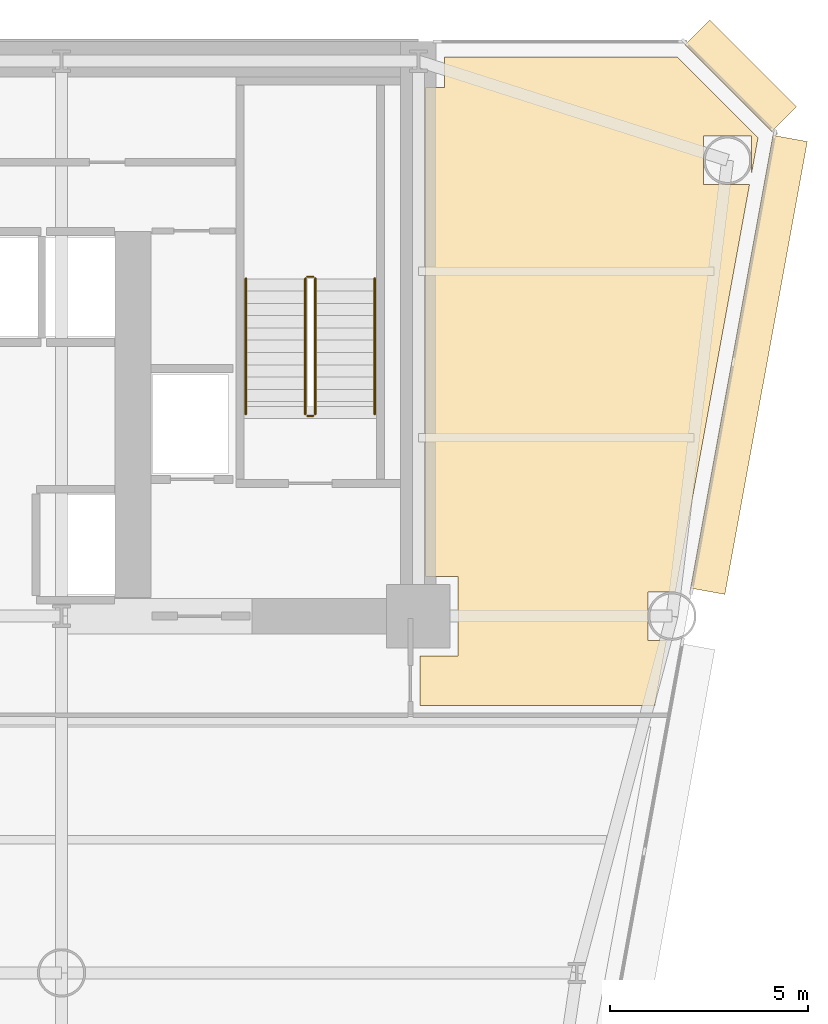
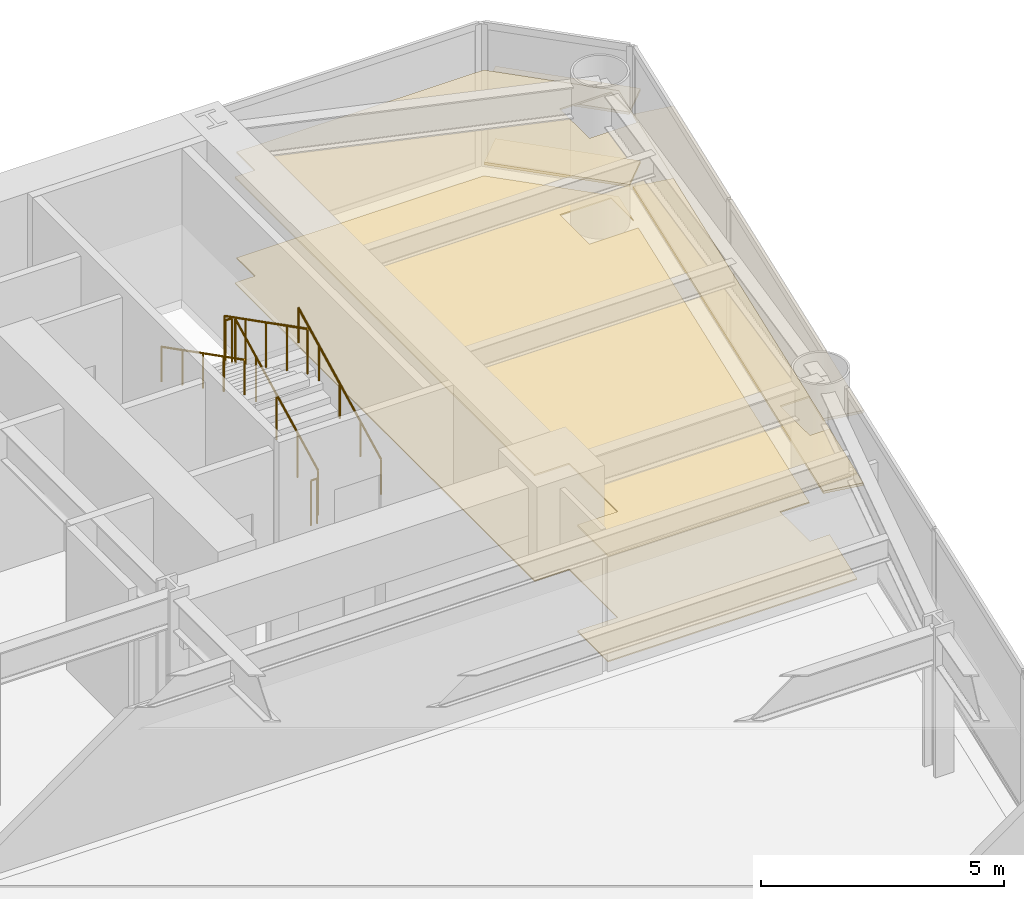
# One storey, part 14 of 14: 6 coverings, 6 railings.
"""IFC4 building model written with IfcOpenShell, lengths in metres."""

from ifc_helpers import new_model, si_unit, direction, frame, origin, origin_2d, place, context, subcontext, project, spatial, polyline, rectangle, circle, outline, extrude, source, transform, mapped, material, layer, layer_set, type_object, element, save


model = new_model("IFC4")

# Units and contexts
model_context = context("Model", 3, precision=1e-05, world=origin(), true_north=direction((0.0, 1.0)))
body_context = subcontext(model_context, "Body", "Model", "MODEL_VIEW")
ifc_project = project(units=[si_unit("LENGTHUNIT", "METRE"), si_unit("AREAUNIT", "SQUARE_METRE"), si_unit("VOLUMEUNIT", "CUBIC_METRE"), si_unit("PLANEANGLEUNIT", "RADIAN"), si_unit("MASSUNIT", "GRAM", prefix="KILO")], contexts=[model_context])

# Site, building, storey
site_placement = place(None, origin())
site = spatial("IfcSite", under=ifc_project, at=site_placement, CompositionType="ELEMENT")
building_placement = place(site_placement, origin())
building = spatial("IfcBuilding", under=site, at=building_placement, Name="Vaeldorn Concourse Tower", CompositionType="ELEMENT")
storey_placement = place(building_placement, frame((0.0, 0.0, 45.39990234375)))
storey = spatial("IfcBuildingStorey", under=building, at=storey_placement, Name="L11", CompositionType="ELEMENT", Elevation=45.39990234375)

# Coverings
ifc_material_1 = material(Name="Acoustic Mineral Fibre Board", Category="gypsum")
ifc_layer_1 = layer(ifc_material_1, 0.0400390625)
ifc_layer_set_1 = layer_set([ifc_layer_1], Name="Acoustic Mineral Fibre Board")
covering_type_1 = type_object("IfcCoveringType", Name="COV-CEIL-ACOUSTIC", PredefinedType="CEILING", material=ifc_layer_set_1)
covering_1_placement = place(storey_placement, frame((0.0, 0.0, 2.650146484375)))
element("IfcCovering", 1, at=covering_1_placement, inside=storey, type_object=covering_type_1, Name="Suspended Acoustic Ceiling L11-4", PredefinedType="CEILING", context=body_context, shape_type="SweptSolid", body=[
    extrude(outline(polyline([(54.179931640625, 49.840087890625), (54.659912109375, 49.840087890625), (54.659912109375, 50.60009765625), (60.5341796875, 50.60009765625), (62.56884765625, 48.5654296875), (62.409423828125, 47.689208984375), (62.409423828125, 48.609619140625), (61.1904296875, 48.609619140625), (61.1904296875, 47.390380859375), (62.35498046875, 47.390380859375), (60.484375, 37.109619140625), (59.79052734375, 37.109619140625), (59.79052734375, 35.890380859375), (60.262451171875, 35.890380859375), (59.962158203125, 34.239990234375), (54.0400390625, 34.239990234375), (54.0400390625, 35.5), (55.0, 35.5), (55.0, 37.5), (54.179931640625, 37.5), (54.179931640625, 49.840087890625)])), origin(), (0.0, 0.0, 1.0), 0.0400390625),
])
ifc_material_2 = material(Name="Honed Limestone Terrazzo Flooring", Category="masonry")
ifc_layer_2 = layer(ifc_material_2, 0.0400390625)
ifc_layer_set_2 = layer_set([ifc_layer_2], Name="Honed Limestone Terrazzo Flooring")
covering_type_2 = type_object("IfcCoveringType", Name="COV-FLOOR-STONE", PredefinedType="FLOORING", material=ifc_layer_set_2)
covering_2_placement = place(storey_placement, origin())
element("IfcCovering", 2, at=covering_2_placement, inside=storey, type_object=covering_type_2, Name="Floor Finish Covering L11-4", PredefinedType="FLOORING", context=body_context, shape_type="SweptSolid", body=[
    extrude(outline(polyline([(54.179931640625, 49.840087890625), (54.659912109375, 49.840087890625), (54.659912109375, 50.60009765625), (60.5341796875, 50.60009765625), (62.56884765625, 48.5654296875), (62.409423828125, 47.689208984375), (62.409423828125, 48.609619140625), (61.1904296875, 48.609619140625), (61.1904296875, 47.390380859375), (62.35498046875, 47.390380859375), (60.484375, 37.109619140625), (59.79052734375, 37.109619140625), (59.79052734375, 35.890380859375), (60.262451171875, 35.890380859375), (59.962158203125, 34.239990234375), (54.0400390625, 34.239990234375), (54.0400390625, 35.5), (55.0, 35.5), (55.0, 37.5), (54.179931640625, 37.5), (54.179931640625, 49.840087890625)])), origin(), (0.0, 0.0, 1.0), 0.030029296875),
])

# Railings
ifc_material_3 = material(Name="Anodised Bronze Aluminium", Category="aluminium")
railing_type_1 = type_object("IfcRailingType", Name="RL-STAIR-GUARD", PredefinedType="GUARDRAIL", material=ifc_material_3)
railing_1_placement = place(storey_placement, frame((51.39990234375, 41.60009765625, 0.158447265625)))
element("IfcRailing", 3, at=railing_1_placement, inside=storey, type_object=railing_type_1, Name="L11 ST-2 stair guard 1", PredefinedType="GUARDRAIL", context=body_context, shape_type="SweptSolid", body=[
    extrude(circle(Radius=0.02392578125, at=origin_2d()), frame((0.0, 0.0, 1.1259765625), z_axis=(0.0, 0.890555807335, 0.454873997962), x_axis=(-1.0, 0.0, 0.0)), (0.0, 0.0, 1.0), 3.828857421875),
    extrude(circle(Radius=0.02099609375, at=origin_2d()), origin(), (0.0, 0.0, 1.0), 1.101806640625),
    extrude(circle(Radius=0.02099609375, at=origin_2d()), frame((0.0, 0.8525390625, 0.435546875)), (0.0, 0.0, 1.0), 1.101806640625),
    extrude(circle(Radius=0.02099609375, at=origin_2d()), frame((0.0, 1.705078125, 0.870849609375)), (0.0, 0.0, 1.0), 1.101806640625),
    extrude(circle(Radius=0.02099609375, at=origin_2d()), frame((0.0, 2.557373046875, 1.30615234375)), (0.0, 0.0, 1.0), 1.101806640625),
    extrude(circle(Radius=0.02099609375, at=origin_2d()), frame((0.0, 3.409912109375, 1.74169921875)), (0.0, 0.0, 1.0), 1.101806640625),
])
railing_2_placement = place(storey_placement, frame((51.35009765625, 45.06005859375, 1.900146484375)))
element("IfcRailing", 4, at=railing_2_placement, inside=storey, type_object=railing_type_1, Name="L11 ST-2 stair guard 2", PredefinedType="GUARDRAIL", context=body_context, shape_type="SweptSolid", body=[
    extrude(circle(Radius=0.02392578125, at=origin_2d()), frame((0.0, 0.0, 1.1259765625), z_axis=(-1.0, 0.0, 0.0), x_axis=(0.0, -1.0, 0.0)), (0.0, 0.0, 1.0), 0.150146484375),
    extrude(circle(Radius=0.02099609375, at=origin_2d()), origin(), (0.0, 0.0, 1.0), 1.101806640625),
    extrude(circle(Radius=0.02099609375, at=origin_2d()), frame((-0.150146484375, 0.0, 0.0)), (0.0, 0.0, 1.0), 1.101806640625),
])
railing_3_placement = place(storey_placement, frame((51.14990234375, 45.010009765625, 2.058349609375)))
element("IfcRailing", 5, at=railing_3_placement, inside=storey, type_object=railing_type_1, Name="L11 ST-2 stair guard 3", PredefinedType="GUARDRAIL", context=body_context, shape_type="SweptSolid", body=[
    extrude(circle(Radius=0.02392578125, at=origin_2d()), frame((0.0, 0.0, 1.1259765625), z_axis=(0.0, -0.890555807335, 0.454873997962), x_axis=(1.0, 0.0, 0.0)), (0.0, 0.0, 1.0), 3.828857421875),
    extrude(circle(Radius=0.02099609375, at=origin_2d()), origin(), (0.0, 0.0, 1.0), 1.101806640625),
    extrude(circle(Radius=0.02099609375, at=origin_2d()), frame((0.0, -0.8525390625, 0.435546875)), (0.0, 0.0, 1.0), 1.101806640625),
    extrude(circle(Radius=0.02099609375, at=origin_2d()), frame((0.0, -1.705078125, 0.870849609375)), (0.0, 0.0, 1.0), 1.101806640625),
    extrude(circle(Radius=0.02099609375, at=origin_2d()), frame((0.0, -2.557373046875, 1.30615234375)), (0.0, 0.0, 1.0), 1.101806640625),
    extrude(circle(Radius=0.02099609375, at=origin_2d()), frame((0.0, -3.409912109375, 1.74169921875)), (0.0, 0.0, 1.0), 1.101806640625),
])
railing_4_placement = place(storey_placement, frame((51.35009765625, 41.550048828125, 0.0)))
element("IfcRailing", 6, at=railing_4_placement, inside=storey, type_object=railing_type_1, Name="L11 ST-2 stair guard 4", PredefinedType="GUARDRAIL", context=body_context, shape_type="SweptSolid", body=[
    extrude(circle(Radius=0.02392578125, at=origin_2d()), frame((0.0, 0.0, 1.1259765625), z_axis=(-1.0, 0.0, 0.0), x_axis=(0.0, -1.0, 0.0)), (0.0, 0.0, 1.0), 0.150146484375),
    extrude(circle(Radius=0.02099609375, at=origin_2d()), origin(), (0.0, 0.0, 1.0), 1.101806640625),
    extrude(circle(Radius=0.02099609375, at=origin_2d()), frame((-0.150146484375, 0.0, 0.0)), (0.0, 0.0, 1.0), 1.101806640625),
])
railing_type_2 = type_object("IfcRailingType", Name="RL-STAIR-HANDRAIL", PredefinedType="HANDRAIL", material=ifc_material_3)
railing_5_placement = place(storey_placement, frame((52.89990234375, 41.60009765625, 0.158447265625)))
element("IfcRailing", 7, at=railing_5_placement, inside=storey, type_object=railing_type_2, Name="L11 ST-2 stair handrail 1", PredefinedType="HANDRAIL", context=body_context, shape_type="SweptSolid", body=[
    extrude(circle(Radius=0.02392578125, at=origin_2d()), frame((0.0, 0.0, 0.8759765625), z_axis=(0.0, 0.890555807335, 0.454873997962), x_axis=(-1.0, 0.0, 0.0)), (0.0, 0.0, 1.0), 3.828857421875),
    extrude(circle(Radius=0.02099609375, at=origin_2d()), origin(), (0.0, 0.0, 1.0), 0.851806640625),
    extrude(circle(Radius=0.02099609375, at=origin_2d()), frame((0.0, 0.8525390625, 0.435546875)), (0.0, 0.0, 1.0), 0.851806640625),
    extrude(circle(Radius=0.02099609375, at=origin_2d()), frame((0.0, 1.705078125, 0.870849609375)), (0.0, 0.0, 1.0), 0.851806640625),
    extrude(circle(Radius=0.02099609375, at=origin_2d()), frame((0.0, 2.557373046875, 1.30615234375)), (0.0, 0.0, 1.0), 0.851806640625),
    extrude(circle(Radius=0.02099609375, at=origin_2d()), frame((0.0, 3.409912109375, 1.74169921875)), (0.0, 0.0, 1.0), 0.851806640625),
])
railing_6_placement = place(storey_placement, frame((49.64990234375, 45.010009765625, 2.058349609375)))
element("IfcRailing", 8, at=railing_6_placement, inside=storey, type_object=railing_type_2, Name="L11 ST-2 stair handrail 2", PredefinedType="HANDRAIL", context=body_context, shape_type="SweptSolid", body=[
    extrude(circle(Radius=0.02392578125, at=origin_2d()), frame((0.0, 0.0, 0.8759765625), z_axis=(0.0, -0.890555807335, 0.454873997962), x_axis=(1.0, 0.0, 0.0)), (0.0, 0.0, 1.0), 3.828857421875),
    extrude(circle(Radius=0.02099609375, at=origin_2d()), origin(), (0.0, 0.0, 1.0), 0.851806640625),
    extrude(circle(Radius=0.02099609375, at=origin_2d()), frame((0.0, -0.8525390625, 0.435546875)), (0.0, 0.0, 1.0), 0.851806640625),
    extrude(circle(Radius=0.02099609375, at=origin_2d()), frame((0.0, -1.705078125, 0.870849609375)), (0.0, 0.0, 1.0), 0.851806640625),
    extrude(circle(Radius=0.02099609375, at=origin_2d()), frame((0.0, -2.557373046875, 1.30615234375)), (0.0, 0.0, 1.0), 0.851806640625),
    extrude(circle(Radius=0.02099609375, at=origin_2d()), frame((0.0, -3.409912109375, 1.74169921875)), (0.0, 0.0, 1.0), 0.851806640625),
])

# Coverings
ifc_layer_3 = layer(ifc_material_3, 0.06494140625)
ifc_layer_set_3 = layer_set([ifc_layer_3], Name="Anodised Bronze Aluminium")
covering_type_3 = type_object("IfcCoveringType", Name="SD-BRONZE-SUNSHADE", PredefinedType="USERDEFINED", material=ifc_layer_set_3)
shared_shape_1 = source(origin(), body_context, "Body", "SweptSolid", [
    extrude(rectangle(XDim=3.0927734375, YDim=0.8798828125, at=origin_2d()), origin(), (0.0, 0.0, 1.0), 0.06494140625),
])
for number, where, z_axis, x_axis, name in (
    (9, (62.1328125, 50.1328125, 0.047607421875), (0.0, 0.0, 1.0), (-0.707106781187, 0.707106781187, 0.0), "Horizontal Bronze Sunshade L11-E08.1.1"),
    (10, (62.1328125, 50.1328125, 1.86767578125), (0.0, 0.0, 1.0), (-0.707106781187, 0.707106781187, 0.0), "Horizontal Bronze Sunshade L11-E08.1.2"),
):
    element("IfcCovering", number, at=place(storey_placement, frame(where, z_axis=z_axis, x_axis=x_axis)), inside=storey, type_object=covering_type_3, Name=name, ObjectType="SUNSHADE", PredefinedType="USERDEFINED", context=body_context, shape_type="MappedRepresentation", body=[
        mapped(shared_shape_1, transform((0.0, 0.0, 0.0), scale=1.0)),
    ])
shared_shape_2 = source(origin(), body_context, "Body", "SweptSolid", [
    extrude(rectangle(XDim=11.610595703125, YDim=0.8798828125, at=origin_2d()), origin(), (0.0, 0.0, 1.0), 0.06494140625),
])
for number, where, z_axis, x_axis, name in (
    (11, (62.33984375, 42.838134765625, 0.047607421875), (0.0, 0.0, 1.0), (0.179025446946, 0.983844443673, 0.0), "Horizontal Bronze Sunshade L11-E07.2.1"),
    (12, (62.33984375, 42.838134765625, 1.86767578125), (0.0, 0.0, 1.0), (0.179025446946, 0.983844443673, 0.0), "Horizontal Bronze Sunshade L11-E07.2.2"),
):
    element("IfcCovering", number, at=place(storey_placement, frame(where, z_axis=z_axis, x_axis=x_axis)), inside=storey, type_object=covering_type_3, Name=name, ObjectType="SUNSHADE", PredefinedType="USERDEFINED", context=body_context, shape_type="MappedRepresentation", body=[
        mapped(shared_shape_2, transform((0.0, 0.0, 0.0), scale=1.0)),
    ])

save(model, "model.ifc")
